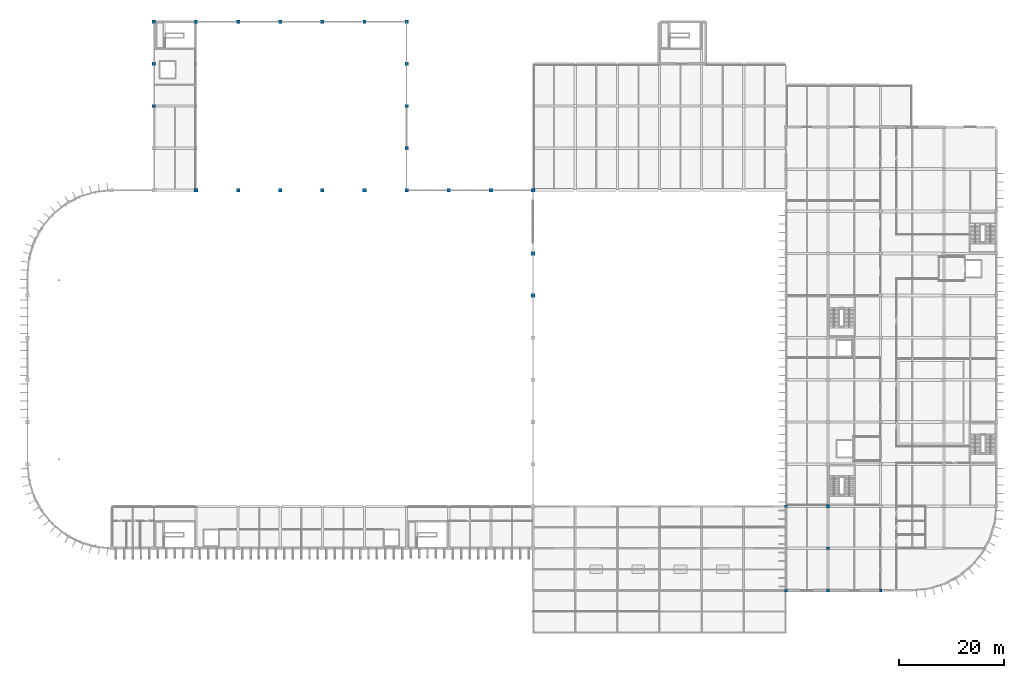
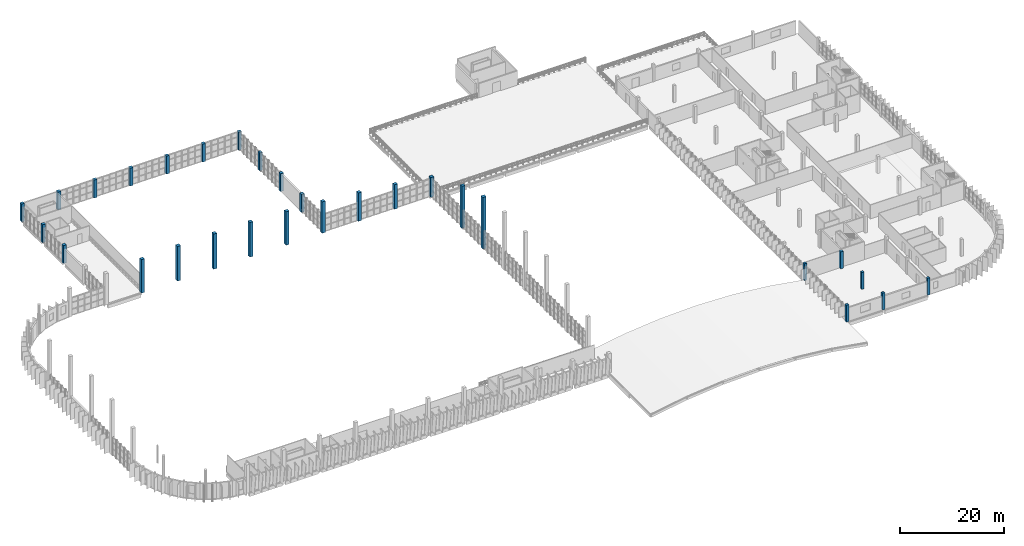
# One storey, part 6 of 66: 29 columns.
"""IFC4 building model written with IfcOpenShell, lengths in metres."""

from ifc_helpers import new_model, si_unit, direction, frame, origin, origin_2d, place, context, subcontext, project, spatial, rectangle, extrude, material, material_profile, profile_set, type_object, element, save


model = new_model("IFC4")

# Units and contexts
model_context = context("Model", 3, precision=1e-05, world=origin(), true_north=direction((0.0, 1.0)))
body_context = subcontext(model_context, "Body", "Model", "MODEL_VIEW")
ifc_project = project(units=[si_unit("LENGTHUNIT", "METRE"), si_unit("AREAUNIT", "SQUARE_METRE"), si_unit("VOLUMEUNIT", "CUBIC_METRE"), si_unit("PLANEANGLEUNIT", "RADIAN"), si_unit("MASSUNIT", "GRAM", prefix="KILO")], contexts=[model_context])

# Site, building, storey
site_placement = place(None, origin())
site = spatial("IfcSite", under=ifc_project, at=site_placement, CompositionType="ELEMENT")
building_placement = place(site_placement, origin())
building = spatial("IfcBuilding", under=site, at=building_placement, Name="Drelvana Railside Aquatics Centre", CompositionType="ELEMENT")
storey_placement = place(building_placement, frame((0.0, 0.0, 10.199951171875)))
storey = spatial("IfcBuildingStorey", under=building, at=storey_placement, Name="L02", CompositionType="ELEMENT", Elevation=10.199951171875)

# Columns
ifc_material = material(Name="Concrete C40/50", Category="concrete")
ifc_material_profile_1 = material_profile(ifc_material, rectangle(XDim=0.5, YDim=0.5, at=origin_2d()), Name="RC 500x500")
ifc_profile_set_1 = profile_set([ifc_material_profile_1], Name="Concrete C40/50")
column_type_1 = type_object("IfcColumnType", Name="STR-COL-RC-500x500", PredefinedType="COLUMN", material=ifc_profile_set_1)
for number, where, z_axis, x_axis, name in (
    (1, (152.0, 8.0, 0.0), (0.0, 0.0, 1.0), (1.0, 0.0, 0.0), "Column C-02 (L02)"),
    (2, (162.0, 8.0, 0.0), (0.0, 0.0, 1.0), (1.0, 0.0, 0.0), "Column C-02 (L02)"),
):
    element("IfcColumn", number, at=place(storey_placement, frame(where, z_axis=z_axis, x_axis=x_axis)), inside=storey, type_object=column_type_1, Name=name, PredefinedType="COLUMN", context=body_context, shape_type="SweptSolid", body=[
        extrude(rectangle(XDim=0.5, YDim=0.5, at=origin_2d()), origin(), (0.0, 0.0, 1.0), 3.989990234375),
    ])
column_1_placement = place(storey_placement, frame((152.0, 16.0, 0.0), z_axis=(0.0, 0.0, 1.0), x_axis=(1.0, 0.0, 0.0)))
element("IfcColumn", 3, at=column_1_placement, inside=storey, type_object=column_type_1, Name="Column C-02 (L02)", PredefinedType="COLUMN", context=body_context, shape_type="SweptSolid", body=[
    extrude(rectangle(XDim=0.5, YDim=0.5, at=origin_2d()), origin(), (0.0, 0.0, 1.0), 3.9599609375),
])
ifc_material_profile_2 = material_profile(ifc_material, rectangle(XDim=0.550048828125, YDim=0.550048828125, at=origin_2d()), Name="RC 550x550")
ifc_profile_set_2 = profile_set([ifc_material_profile_2], Name="Concrete C40/50")
column_type_2 = type_object("IfcColumnType", Name="STR-COL-RC-550x550", PredefinedType="COLUMN", material=ifc_profile_set_2)
column_2_placement = place(storey_placement, frame((144.0, 8.0, 0.0), z_axis=(0.0, 0.0, 1.0), x_axis=(1.0, 0.0, 0.0)))
element("IfcColumn", 4, at=column_2_placement, inside=storey, type_object=column_type_2, Name="Column C-03 (L02)", PredefinedType="COLUMN", context=body_context, shape_type="SweptSolid", body=[
    extrude(rectangle(XDim=0.550048828125, YDim=0.550048828125, at=origin_2d()), origin(), (0.0, 0.0, 1.0), 3.989990234375),
])
column_3_placement = place(storey_placement, frame((144.0, 24.0, 0.0), z_axis=(0.0, 0.0, 1.0), x_axis=(1.0, 0.0, 0.0)))
element("IfcColumn", 5, at=column_3_placement, inside=storey, type_object=column_type_2, Name="Column C-03 (L02)", PredefinedType="COLUMN", context=body_context, shape_type="SweptSolid", body=[
    extrude(rectangle(XDim=0.550048828125, YDim=0.550048828125, at=origin_2d()), origin(), (0.0, 0.0, 1.0), 3.9599609375),
])
ifc_material_profile_3 = material_profile(ifc_material, rectangle(XDim=0.60009765625, YDim=0.60009765625, at=origin_2d()), Name="RC 600x600")
ifc_profile_set_3 = profile_set([ifc_material_profile_3], Name="Concrete C40/50")
column_type_3 = type_object("IfcColumnType", Name="STR-COL-RC-600x600", PredefinedType="COLUMN", material=ifc_profile_set_3)
column_4_placement = place(storey_placement, frame((152.0, 24.0, 0.0), z_axis=(0.0, 0.0, 1.0), x_axis=(1.0, 0.0, 0.0)))
element("IfcColumn", 6, at=column_4_placement, inside=storey, type_object=column_type_3, Name="Column C-04 (L02)", PredefinedType="COLUMN", context=body_context, shape_type="SweptSolid", body=[
    extrude(rectangle(XDim=0.60009765625, YDim=0.60009765625, at=origin_2d()), origin(), (0.0, 0.0, 1.0), 3.9599609375),
])
ifc_material_profile_4 = material_profile(ifc_material, rectangle(XDim=0.64990234375, YDim=0.64990234375, at=origin_2d()), Name="RC 650x650")
ifc_profile_set_4 = profile_set([ifc_material_profile_4], Name="Concrete C40/50")
column_type_4 = type_object("IfcColumnType", Name="STR-COL-RC-650x650", PredefinedType="COLUMN", material=ifc_profile_set_4)
for number, where, z_axis, x_axis, name in (
    (7, (24.0, 116.0, 0.0), (0.0, 0.0, 1.0), (1.0, 0.0, 0.0), "Column C-05 (L02)"),
    (8, (32.0, 116.0, 0.0), (0.0, 0.0, 1.0), (1.0, 0.0, 0.0), "Column C-05 (L02)"),
    (9, (40.0, 116.0, 0.0), (0.0, 0.0, 1.0), (1.0, 0.0, 0.0), "Column C-05 (L02)"),
    (10, (48.0, 116.0, 0.0), (0.0, 0.0, 1.0), (1.0, 0.0, 0.0), "Column C-05 (L02)"),
    (11, (56.0, 116.0, 0.0), (0.0, 0.0, 1.0), (1.0, 0.0, 0.0), "Column C-05 (L02)"),
    (12, (64.0, 116.0, 0.0), (0.0, 0.0, 1.0), (1.0, 0.0, 0.0), "Column C-05 (L02)"),
    (13, (72.0, 116.0, 0.0), (0.0, 0.0, 1.0), (1.0, 0.0, 0.0), "Column C-05 (L02)"),
    (14, (72.0, 92.0, 0.0), (0.0, 0.0, 1.0), (1.0, 0.0, 0.0), "Column C-05 (L02)"),
    (15, (24.0, 100.0, 0.0), (0.0, 0.0, 1.0), (1.0, 0.0, 0.0), "Column C-05 (L02)"),
    (16, (72.0, 100.0, 0.0), (0.0, 0.0, 1.0), (1.0, 0.0, 0.0), "Column C-05 (L02)"),
    (17, (24.0, 108.0, 0.0), (0.0, 0.0, 1.0), (1.0, 0.0, 0.0), "Column C-05 (L02)"),
    (18, (72.0, 108.0, 0.0), (0.0, 0.0, 1.0), (1.0, 0.0, 0.0), "Column C-05 (L02)"),
):
    element("IfcColumn", number, at=place(storey_placement, frame(where, z_axis=z_axis, x_axis=x_axis)), inside=storey, type_object=column_type_4, Name=name, PredefinedType="COLUMN", context=body_context, shape_type="SweptSolid", body=[
        extrude(rectangle(XDim=0.64990234375, YDim=0.64990234375, at=origin_2d()), origin(), (0.0, 0.0, 1.0), 4.199951171875),
    ])
ifc_material_profile_5 = material_profile(ifc_material, rectangle(XDim=0.699951171875, YDim=0.699951171875, at=origin_2d()), Name="RC 700x700")
ifc_profile_set_5 = profile_set([ifc_material_profile_5], Name="Concrete C40/50")
column_type_5 = type_object("IfcColumnType", Name="STR-COL-RC-700x700", PredefinedType="COLUMN", material=ifc_profile_set_5)
column_5_placement = place(storey_placement, frame((32.0, 84.0, 0.0), z_axis=(0.0, 0.0, 1.0), x_axis=(1.0, 0.0, 0.0)))
element("IfcColumn", 19, at=column_5_placement, inside=storey, type_object=column_type_5, Name="Column C-06 (L02)", PredefinedType="COLUMN", context=body_context, shape_type="SweptSolid", body=[
    extrude(rectangle(XDim=0.699951171875, YDim=0.699951171875, at=origin_2d()), origin(), (0.0, 0.0, 1.0), 7.824951171875),
])
column_6_placement = place(storey_placement, frame((40.0, 84.0, 0.0), z_axis=(0.0, 0.0, 1.0), x_axis=(1.0, 0.0, 0.0)))
element("IfcColumn", 20, at=column_6_placement, inside=storey, type_object=column_type_5, Name="Column C-06 (L02)", PredefinedType="COLUMN", context=body_context, shape_type="SweptSolid", body=[
    extrude(rectangle(XDim=0.699951171875, YDim=0.699951171875, at=origin_2d()), origin(), (0.0, 0.0, 1.0), 8.125),
])
column_7_placement = place(storey_placement, frame((48.0, 84.0, 0.0), z_axis=(0.0, 0.0, 1.0), x_axis=(1.0, 0.0, 0.0)))
element("IfcColumn", 21, at=column_7_placement, inside=storey, type_object=column_type_5, Name="Column C-06 (L02)", PredefinedType="COLUMN", context=body_context, shape_type="SweptSolid", body=[
    extrude(rectangle(XDim=0.699951171875, YDim=0.699951171875, at=origin_2d()), origin(), (0.0, 0.0, 1.0), 8.22509765625),
])
column_8_placement = place(storey_placement, frame((56.0, 84.0, 0.0), z_axis=(0.0, 0.0, 1.0), x_axis=(1.0, 0.0, 0.0)))
element("IfcColumn", 22, at=column_8_placement, inside=storey, type_object=column_type_5, Name="Column C-06 (L02)", PredefinedType="COLUMN", context=body_context, shape_type="SweptSolid", body=[
    extrude(rectangle(XDim=0.699951171875, YDim=0.699951171875, at=origin_2d()), origin(), (0.0, 0.0, 1.0), 8.125),
])
column_9_placement = place(storey_placement, frame((64.0, 84.0, 0.0), z_axis=(0.0, 0.0, 1.0), x_axis=(1.0, 0.0, 0.0)))
element("IfcColumn", 23, at=column_9_placement, inside=storey, type_object=column_type_5, Name="Column C-06 (L02)", PredefinedType="COLUMN", context=body_context, shape_type="SweptSolid", body=[
    extrude(rectangle(XDim=0.699951171875, YDim=0.699951171875, at=origin_2d()), origin(), (0.0, 0.0, 1.0), 7.824951171875),
])
column_10_placement = place(storey_placement, frame((72.0, 84.0, 0.0), z_axis=(0.0, 0.0, 1.0), x_axis=(1.0, 0.0, 0.0)))
element("IfcColumn", 24, at=column_10_placement, inside=storey, type_object=column_type_5, Name="Column C-06 (L02)", PredefinedType="COLUMN", context=body_context, shape_type="SweptSolid", body=[
    extrude(rectangle(XDim=0.699951171875, YDim=0.699951171875, at=origin_2d()), origin(), (0.0, 0.0, 1.0), 7.324951171875),
])
column_11_placement = place(storey_placement, frame((80.0, 84.0, 0.0), z_axis=(0.0, 0.0, 1.0), x_axis=(1.0, 0.0, 0.0)))
element("IfcColumn", 25, at=column_11_placement, inside=storey, type_object=column_type_5, Name="Column C-06 (L02)", PredefinedType="COLUMN", context=body_context, shape_type="SweptSolid", body=[
    extrude(rectangle(XDim=0.699951171875, YDim=0.699951171875, at=origin_2d()), origin(), (0.0, 0.0, 1.0), 6.625),
])
column_12_placement = place(storey_placement, frame((88.0, 84.0, 0.0), z_axis=(0.0, 0.0, 1.0), x_axis=(1.0, 0.0, 0.0)))
element("IfcColumn", 26, at=column_12_placement, inside=storey, type_object=column_type_5, Name="Column C-06 (L02)", PredefinedType="COLUMN", context=body_context, shape_type="SweptSolid", body=[
    extrude(rectangle(XDim=0.699951171875, YDim=0.699951171875, at=origin_2d()), origin(), (0.0, 0.0, 1.0), 5.72509765625),
])
column_13_placement = place(storey_placement, frame((96.0, 84.0, 0.0), z_axis=(0.0, 0.0, 1.0), x_axis=(1.0, 0.0, 0.0)))
element("IfcColumn", 27, at=column_13_placement, inside=storey, type_object=column_type_5, Name="Column C-06 (L02)", PredefinedType="COLUMN", context=body_context, shape_type="SweptSolid", body=[
    extrude(rectangle(XDim=0.699951171875, YDim=0.699951171875, at=origin_2d()), origin(), (0.0, 0.0, 1.0), 4.625),
])
column_14_placement = place(storey_placement, frame((96.0, 64.0, 0.0), z_axis=(0.0, 0.0, 1.0), x_axis=(1.0, 0.0, 0.0)))
element("IfcColumn", 28, at=column_14_placement, inside=storey, type_object=column_type_5, Name="Column C-06 (L02)", PredefinedType="COLUMN", context=body_context, shape_type="SweptSolid", body=[
    extrude(rectangle(XDim=0.699951171875, YDim=0.699951171875, at=origin_2d()), origin(), (0.0, 0.0, 1.0), 12.09912109375),
])
column_15_placement = place(storey_placement, frame((96.0, 72.0, 0.0), z_axis=(0.0, 0.0, 1.0), x_axis=(1.0, 0.0, 0.0)))
element("IfcColumn", 29, at=column_15_placement, inside=storey, type_object=column_type_5, Name="Column C-06 (L02)", PredefinedType="COLUMN", context=body_context, shape_type="SweptSolid", body=[
    extrude(rectangle(XDim=0.699951171875, YDim=0.699951171875, at=origin_2d()), origin(), (0.0, 0.0, 1.0), 9.85693359375),
])

save(model, "model.ifc")
